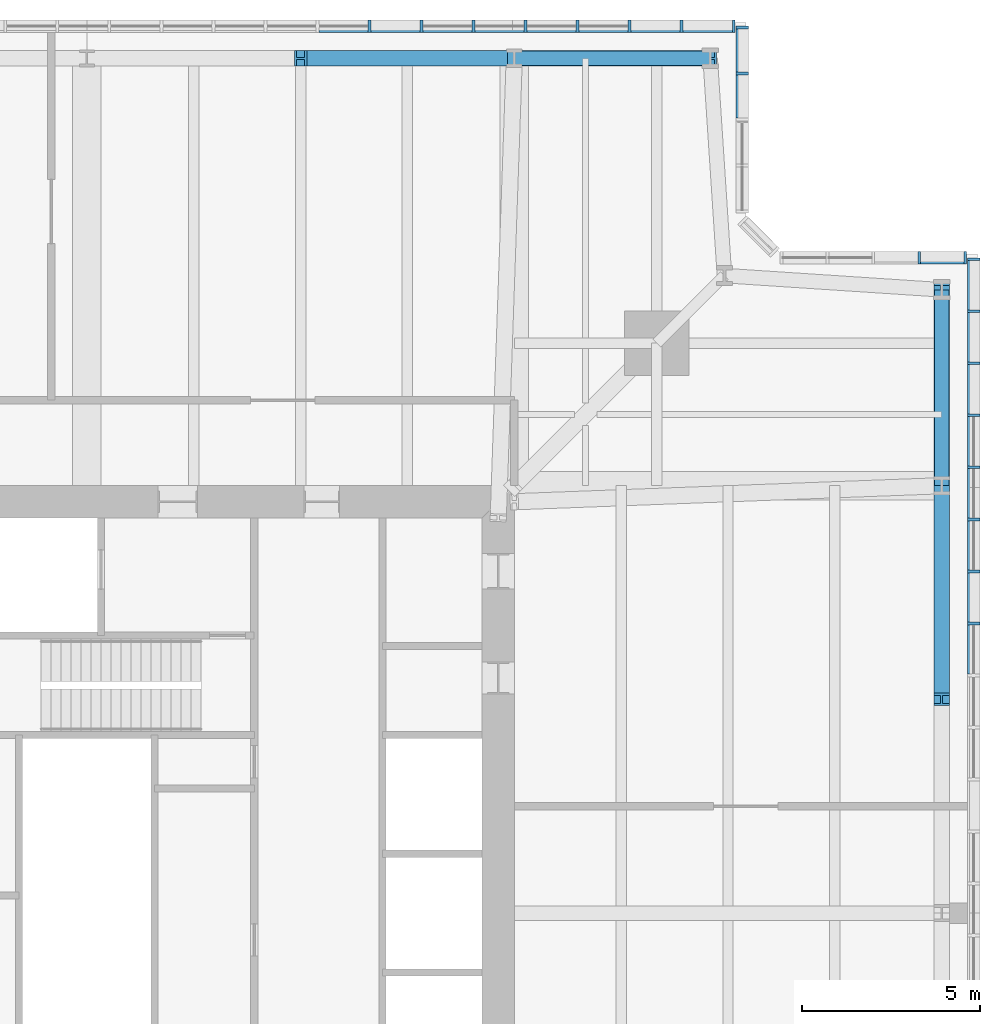
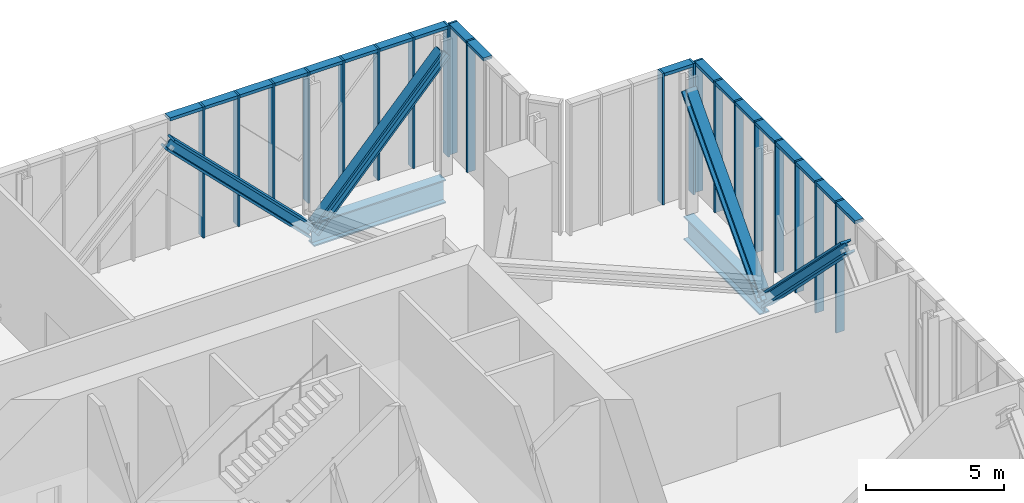
# One storey, part 8 of 18: 43 members, 2 beams, 4 elements without a shape of their own.
"""IFC4 building model written with IfcOpenShell, lengths in metres."""

from ifc_helpers import new_model, si_unit, direction, frame, origin, origin_2d, place, context, subcontext, project, spatial, rectangle, i_section, extrude, material, material_profile, profile_set, type_object, element, aggregate, save


model = new_model("IFC4")

# Units and contexts
model_context = context("Model", 3, precision=1e-05, world=origin(), true_north=direction((0.0, 1.0)))
body_context = subcontext(model_context, "Body", "Model", "MODEL_VIEW")
ifc_project = project(units=[si_unit("LENGTHUNIT", "METRE"), si_unit("AREAUNIT", "SQUARE_METRE"), si_unit("VOLUMEUNIT", "CUBIC_METRE"), si_unit("PLANEANGLEUNIT", "RADIAN"), si_unit("MASSUNIT", "GRAM", prefix="KILO")], contexts=[model_context])

# Site, building, storey
site_placement = place(None, origin())
site = spatial("IfcSite", under=ifc_project, at=site_placement, CompositionType="ELEMENT")
building_placement = place(site_placement, origin())
building = spatial("IfcBuilding", under=site, at=building_placement, Name="Fenwick Lantern Interchange", CompositionType="ELEMENT")
storey_placement = place(building_placement, frame((0.0, 0.0, 301.800048828125)))
storey = spatial("IfcBuildingStorey", under=building, at=storey_placement, Name="L73", CompositionType="ELEMENT", Elevation=301.800048828125)

# Members
ifc_material_1 = material(Name="Steel ASTM A992 Grade 50", Category="steel")
ifc_material_profile_1 = material_profile(ifc_material_1, i_section(OverallWidth=0.431884765625, OverallDepth=0.497802734375, WebThickness=0.0556640625, FlangeThickness=0.0888671875, at=origin_2d()), Name="W14X500")
ifc_profile_set_1 = profile_set([ifc_material_profile_1], Name="Steel ASTM A992 Grade 50")
member_type_1 = type_object("IfcMemberType", Name="BELT TRUSS DIAGONAL W14X500", PredefinedType="BRACE", material=ifc_profile_set_1)
member_1_placement = place(storey_placement, frame((49.0, 37.0, -0.650146484375), z_axis=(0.0, -0.707106781187, 0.707106781187), x_axis=(1.0, 0.0, 0.0)))
element("IfcMember", 1, at=member_1_placement, inside=storey, type_object=member_type_1, Name="L73/BT/E/D5", PredefinedType="BRACE", context=body_context, shape_type="SweptSolid", body=[
    extrude(i_section(OverallWidth=0.431884765625, OverallDepth=0.497802734375, WebThickness=0.0556640625, FlangeThickness=0.0888671875, at=origin_2d()), origin(), (0.0, 0.0, 1.0), 8.4853515625),
])
for number, where, z_axis, x_axis, name in (
    (2, (49.0, 37.0, -0.650146484375), (0.0, 0.675724628517, 0.737154140201), (-1.0, 0.0, 0.0), "L73/BT/E/D6"),
    (3, (37.0, 49.0, -0.650146484375), (0.675724628517, 0.0, 0.737154140201), (0.0, 1.0, 0.0), "L73/BT/N/D1"),
):
    element("IfcMember", number, at=place(storey_placement, frame(where, z_axis=z_axis, x_axis=x_axis)), inside=storey, type_object=member_type_1, Name=name, PredefinedType="BRACE", context=body_context, shape_type="SweptSolid", body=[
        extrude(i_section(OverallWidth=0.431884765625, OverallDepth=0.497802734375, WebThickness=0.0556640625, FlangeThickness=0.0888671875, at=origin_2d()), origin(), (0.0, 0.0, 1.0), 8.139404296875),
    ])
member_2_placement = place(storey_placement, frame((37.0, 49.0, -0.650146484375), z_axis=(-0.707106781187, 0.0, 0.707106781187), x_axis=(0.0, -1.0, 0.0)))
element("IfcMember", 4, at=member_2_placement, inside=storey, type_object=member_type_1, Name="L73/BT/N/D2", PredefinedType="BRACE", context=body_context, shape_type="SweptSolid", body=[
    extrude(i_section(OverallWidth=0.431884765625, OverallDepth=0.497802734375, WebThickness=0.0556640625, FlangeThickness=0.0888671875, at=origin_2d()), origin(), (0.0, 0.0, 1.0), 8.4853515625),
])

# Beams
ifc_material_profile_2 = material_profile(ifc_material_1, i_section(OverallWidth=0.408935546875, OverallDepth=1.04150390625, WebThickness=0.031005859375, FlangeThickness=0.055908203125, at=origin_2d()), Name="W40X397")
ifc_profile_set_2 = profile_set([ifc_material_profile_2], Name="Steel ASTM A992 Grade 50")
beam_type = type_object("IfcBeamType", Name="EDGE BEAM W40X397", PredefinedType="SPANDREL", material=ifc_profile_set_2)
for number, where, z_axis, x_axis, name in (
    (5, (49.0, 37.0, -0.720703125), (0.0, 1.0, 0.0), (-1.0, 0.0, 0.0), "L73/FR/E/EB4"),
    (6, (42.5, 49.0, -0.720703125), (-1.0, 0.0, 0.0), (0.0, -1.0, 0.0), "L73/FR/N/EB1"),
):
    element("IfcBeam", number, at=place(storey_placement, frame(where, z_axis=z_axis, x_axis=x_axis)), inside=storey, type_object=beam_type, Name=name, PredefinedType="SPANDREL", context=body_context, shape_type="SweptSolid", body=[
        extrude(i_section(OverallWidth=0.408935546875, OverallDepth=1.04150390625, WebThickness=0.031005859375, FlangeThickness=0.055908203125, at=origin_2d()), origin(), (0.0, 0.0, 1.0), 5.5),
    ])

# Curtain wall, members
ifc_material_2 = material(Name="Aluminium curtain wall frame", Category="aluminium")
curtain_wall_type = type_object("IfcCurtainWallType", Name="LANTERN GLAZING", PredefinedType="USERDEFINED", material=ifc_material_2)
curtain_wall_1_placement = place(storey_placement, origin())
curtain_wall_1 = element("IfcCurtainWall", 7, at=curtain_wall_1_placement, inside=storey, type_object=curtain_wall_type, Name="Lantern glazing 05", ObjectType="LANTERN GLAZING", PredefinedType="USERDEFINED")
ifc_material_3 = material(Name="Aluminium extrusion", Category="aluminium")
ifc_material_profile_3 = material_profile(ifc_material_3, rectangle(XDim=0.35009765625, YDim=0.080078125, at=origin_2d()), Name="LANTERN GLAZING MULLION 80 X 350")
ifc_profile_set_3 = profile_set([ifc_material_profile_3], Name="Aluminium extrusion")
member_type_2 = type_object("IfcMemberType", Name="LANTERN GLAZING MULLION 80 X 350", PredefinedType="MULLION", material=ifc_profile_set_3)
member_3_placement = place(storey_placement, frame((49.89990234375, 33.134521484375, 0.0), z_axis=(0.0, 0.0, 1.0), x_axis=(-1.0, 0.0, 0.0)))
member_3 = element("IfcMember", 8, at=member_3_placement, type_object=member_type_2, Name="L73/CW/05/M18", PredefinedType="MULLION", context=body_context, shape_type="SweptSolid", body=[
    extrude(rectangle(XDim=0.35009765625, YDim=0.080078125, at=origin_2d()), origin(), (0.0, 0.0, 1.0), 5.800048828125),
])
member_4_placement = place(storey_placement, frame((49.89990234375, 34.59521484375, 0.0), z_axis=(0.0, 0.0, 1.0), x_axis=(-1.0, 0.0, 0.0)))
member_4 = element("IfcMember", 9, at=member_4_placement, type_object=member_type_2, Name="L73/CW/05/M19", PredefinedType="MULLION", context=body_context, shape_type="SweptSolid", body=[
    extrude(rectangle(XDim=0.35009765625, YDim=0.080078125, at=origin_2d()), origin(), (0.0, 0.0, 1.0), 5.800048828125),
])
member_5_placement = place(storey_placement, frame((49.89990234375, 36.055908203125, 0.0), z_axis=(0.0, 0.0, 1.0), x_axis=(-1.0, 0.0, 0.0)))
member_5 = element("IfcMember", 10, at=member_5_placement, type_object=member_type_2, Name="L73/CW/05/M20", PredefinedType="MULLION", context=body_context, shape_type="SweptSolid", body=[
    extrude(rectangle(XDim=0.35009765625, YDim=0.080078125, at=origin_2d()), origin(), (0.0, 0.0, 1.0), 5.800048828125),
])
member_6_placement = place(storey_placement, frame((49.89990234375, 37.516845703125, 0.0), z_axis=(0.0, 0.0, 1.0), x_axis=(-1.0, 0.0, 0.0)))
member_6 = element("IfcMember", 11, at=member_6_placement, type_object=member_type_2, Name="L73/CW/05/M21", PredefinedType="MULLION", context=body_context, shape_type="SweptSolid", body=[
    extrude(rectangle(XDim=0.35009765625, YDim=0.080078125, at=origin_2d()), origin(), (0.0, 0.0, 1.0), 5.800048828125),
])
member_7_placement = place(storey_placement, frame((49.89990234375, 38.9775390625, 0.0), z_axis=(0.0, 0.0, 1.0), x_axis=(-1.0, 0.0, 0.0)))
member_7 = element("IfcMember", 12, at=member_7_placement, type_object=member_type_2, Name="L73/CW/05/M22", PredefinedType="MULLION", context=body_context, shape_type="SweptSolid", body=[
    extrude(rectangle(XDim=0.35009765625, YDim=0.080078125, at=origin_2d()), origin(), (0.0, 0.0, 1.0), 5.800048828125),
])
member_8_placement = place(storey_placement, frame((49.89990234375, 40.4384765625, 0.0), z_axis=(0.0, 0.0, 1.0), x_axis=(-1.0, 0.0, 0.0)))
member_8 = element("IfcMember", 13, at=member_8_placement, type_object=member_type_2, Name="L73/CW/05/M23", PredefinedType="MULLION", context=body_context, shape_type="SweptSolid", body=[
    extrude(rectangle(XDim=0.35009765625, YDim=0.080078125, at=origin_2d()), origin(), (0.0, 0.0, 1.0), 5.800048828125),
])
member_9_placement = place(storey_placement, frame((49.89990234375, 41.899169921875, 0.0), z_axis=(0.0, 0.0, 1.0), x_axis=(-1.0, 0.0, 0.0)))
member_9 = element("IfcMember", 14, at=member_9_placement, type_object=member_type_2, Name="L73/CW/05/M24", PredefinedType="MULLION", context=body_context, shape_type="SweptSolid", body=[
    extrude(rectangle(XDim=0.35009765625, YDim=0.080078125, at=origin_2d()), origin(), (0.0, 0.0, 1.0), 5.800048828125),
])
member_10_placement = place(storey_placement, frame((49.89990234375, 43.360107421875, 0.0), z_axis=(0.0, 0.0, 1.0), x_axis=(-1.0, 0.0, 0.0)))
member_10 = element("IfcMember", 15, at=member_10_placement, type_object=member_type_2, Name="L73/CW/05/M25", PredefinedType="MULLION", context=body_context, shape_type="SweptSolid", body=[
    extrude(rectangle(XDim=0.35009765625, YDim=0.080078125, at=origin_2d()), origin(), (0.0, 0.0, 1.0), 5.800048828125),
])

curtain_wall_2_placement = place(storey_placement, origin())
curtain_wall_2 = element("IfcCurtainWall", 16, at=curtain_wall_2_placement, inside=storey, type_object=curtain_wall_type, Name="Lantern glazing 06", ObjectType="LANTERN GLAZING", PredefinedType="USERDEFINED")
member_11_placement = place(storey_placement, frame((49.659912109375, 43.39990234375, 0.0), z_axis=(0.0, 0.0, 1.0), x_axis=(0.0, -1.0, 0.0)))
member_11 = element("IfcMember", 17, at=member_11_placement, type_object=member_type_2, Name="L73/CW/06/M00", PredefinedType="MULLION", context=body_context, shape_type="SweptSolid", body=[
    extrude(rectangle(XDim=0.35009765625, YDim=0.080078125, at=origin_2d()), origin(), (0.0, 0.0, 1.0), 5.800048828125),
])
member_12_placement = place(storey_placement, frame((48.36962890625, 43.39990234375, 0.0), z_axis=(0.0, 0.0, 1.0), x_axis=(0.0, -1.0, 0.0)))
member_12 = element("IfcMember", 18, at=member_12_placement, type_object=member_type_2, Name="L73/CW/06/M01", PredefinedType="MULLION", context=body_context, shape_type="SweptSolid", body=[
    extrude(rectangle(XDim=0.35009765625, YDim=0.080078125, at=origin_2d()), origin(), (0.0, 0.0, 1.0), 5.800048828125),
])

curtain_wall_3_placement = place(storey_placement, origin())
curtain_wall_3 = element("IfcCurtainWall", 19, at=curtain_wall_3_placement, inside=storey, type_object=curtain_wall_type, Name="Lantern glazing 08", ObjectType="LANTERN GLAZING", PredefinedType="USERDEFINED")
member_13_placement = place(storey_placement, frame((43.39990234375, 48.569580078125, 0.0), z_axis=(0.0, 0.0, 1.0), x_axis=(-1.0, 0.0, 0.0)))
member_13 = element("IfcMember", 20, at=member_13_placement, type_object=member_type_2, Name="L73/CW/08/M03", PredefinedType="MULLION", context=body_context, shape_type="SweptSolid", body=[
    extrude(rectangle(XDim=0.35009765625, YDim=0.080078125, at=origin_2d()), origin(), (0.0, 0.0, 1.0), 5.800048828125),
])
member_14_placement = place(storey_placement, frame((43.39990234375, 49.860107421875, 0.0), z_axis=(0.0, 0.0, 1.0), x_axis=(-1.0, 0.0, 0.0)))
member_14 = element("IfcMember", 21, at=member_14_placement, type_object=member_type_2, Name="L73/CW/08/M04", PredefinedType="MULLION", context=body_context, shape_type="SweptSolid", body=[
    extrude(rectangle(XDim=0.35009765625, YDim=0.080078125, at=origin_2d()), origin(), (0.0, 0.0, 1.0), 5.800048828125),
])

curtain_wall_4_placement = place(storey_placement, origin())
curtain_wall_4 = element("IfcCurtainWall", 22, at=curtain_wall_4_placement, inside=storey, type_object=curtain_wall_type, Name="Lantern glazing 09", ObjectType="LANTERN GLAZING", PredefinedType="USERDEFINED")
member_15_placement = place(storey_placement, frame((43.159912109375, 49.89990234375, 0.0), z_axis=(0.0, 0.0, 1.0), x_axis=(0.0, -1.0, 0.0)))
member_15 = element("IfcMember", 23, at=member_15_placement, type_object=member_type_2, Name="L73/CW/09/M00", PredefinedType="MULLION", context=body_context, shape_type="SweptSolid", body=[
    extrude(rectangle(XDim=0.35009765625, YDim=0.080078125, at=origin_2d()), origin(), (0.0, 0.0, 1.0), 5.800048828125),
])
member_16_placement = place(storey_placement, frame((41.69921875, 49.89990234375, 0.0), z_axis=(0.0, 0.0, 1.0), x_axis=(0.0, -1.0, 0.0)))
member_16 = element("IfcMember", 24, at=member_16_placement, type_object=member_type_2, Name="L73/CW/09/M01", PredefinedType="MULLION", context=body_context, shape_type="SweptSolid", body=[
    extrude(rectangle(XDim=0.35009765625, YDim=0.080078125, at=origin_2d()), origin(), (0.0, 0.0, 1.0), 5.800048828125),
])
member_17_placement = place(storey_placement, frame((40.23828125, 49.89990234375, 0.0), z_axis=(0.0, 0.0, 1.0), x_axis=(0.0, -1.0, 0.0)))
member_17 = element("IfcMember", 25, at=member_17_placement, type_object=member_type_2, Name="L73/CW/09/M02", PredefinedType="MULLION", context=body_context, shape_type="SweptSolid", body=[
    extrude(rectangle(XDim=0.35009765625, YDim=0.080078125, at=origin_2d()), origin(), (0.0, 0.0, 1.0), 5.800048828125),
])
member_18_placement = place(storey_placement, frame((38.777587890625, 49.89990234375, 0.0), z_axis=(0.0, 0.0, 1.0), x_axis=(0.0, -1.0, 0.0)))
member_18 = element("IfcMember", 26, at=member_18_placement, type_object=member_type_2, Name="L73/CW/09/M03", PredefinedType="MULLION", context=body_context, shape_type="SweptSolid", body=[
    extrude(rectangle(XDim=0.35009765625, YDim=0.080078125, at=origin_2d()), origin(), (0.0, 0.0, 1.0), 5.800048828125),
])
member_19_placement = place(storey_placement, frame((37.31689453125, 49.89990234375, 0.0), z_axis=(0.0, 0.0, 1.0), x_axis=(0.0, -1.0, 0.0)))
member_19 = element("IfcMember", 27, at=member_19_placement, type_object=member_type_2, Name="L73/CW/09/M04", PredefinedType="MULLION", context=body_context, shape_type="SweptSolid", body=[
    extrude(rectangle(XDim=0.35009765625, YDim=0.080078125, at=origin_2d()), origin(), (0.0, 0.0, 1.0), 5.800048828125),
])
member_20_placement = place(storey_placement, frame((35.85595703125, 49.89990234375, 0.0), z_axis=(0.0, 0.0, 1.0), x_axis=(0.0, -1.0, 0.0)))
member_20 = element("IfcMember", 28, at=member_20_placement, type_object=member_type_2, Name="L73/CW/09/M05", PredefinedType="MULLION", context=body_context, shape_type="SweptSolid", body=[
    extrude(rectangle(XDim=0.35009765625, YDim=0.080078125, at=origin_2d()), origin(), (0.0, 0.0, 1.0), 5.800048828125),
])
member_21_placement = place(storey_placement, frame((34.395263671875, 49.89990234375, 0.0), z_axis=(0.0, 0.0, 1.0), x_axis=(0.0, -1.0, 0.0)))
member_21 = element("IfcMember", 29, at=member_21_placement, type_object=member_type_2, Name="L73/CW/09/M06", PredefinedType="MULLION", context=body_context, shape_type="SweptSolid", body=[
    extrude(rectangle(XDim=0.35009765625, YDim=0.080078125, at=origin_2d()), origin(), (0.0, 0.0, 1.0), 5.800048828125),
])
member_22_placement = place(storey_placement, frame((32.934326171875, 49.89990234375, 0.0), z_axis=(0.0, 0.0, 1.0), x_axis=(0.0, -1.0, 0.0)))
member_22 = element("IfcMember", 30, at=member_22_placement, type_object=member_type_2, Name="L73/CW/09/M07", PredefinedType="MULLION", context=body_context, shape_type="SweptSolid", body=[
    extrude(rectangle(XDim=0.35009765625, YDim=0.080078125, at=origin_2d()), origin(), (0.0, 0.0, 1.0), 5.800048828125),
])

# Member
ifc_material_profile_4 = material_profile(ifc_material_3, rectangle(XDim=0.35009765625, YDim=0.139892578125, at=origin_2d()), Name="LANTERN GLAZING TRANSOM 140 X 350")
ifc_profile_set_4 = profile_set([ifc_material_profile_4], Name="Aluminium extrusion")
member_type_3 = type_object("IfcMemberType", Name="LANTERN GLAZING TRANSOM 140 X 350", PredefinedType="MULLION", material=ifc_profile_set_4)
member_23_placement = place(storey_placement, frame((49.89990234375, 31.713623046875, 5.72998046875), z_axis=(0.0, 1.0, 0.0), x_axis=(-1.0, 0.0, 0.0)))
member_23 = element("IfcMember", 31, at=member_23_placement, type_object=member_type_3, Name="L73/CW/05/T17", PredefinedType="MULLION", context=body_context, shape_type="SweptSolid", body=[
    extrude(rectangle(XDim=0.35009765625, YDim=0.139892578125, at=origin_2d()), origin(), (0.0, 0.0, 1.0), 1.380859375),
])

member_24_placement = place(storey_placement, frame((49.89990234375, 33.17431640625, 5.72998046875), z_axis=(0.0, 1.0, 0.0), x_axis=(-1.0, 0.0, 0.0)))
member_24 = element("IfcMember", 32, at=member_24_placement, type_object=member_type_3, Name="L73/CW/05/T18", PredefinedType="MULLION", context=body_context, shape_type="SweptSolid", body=[
    extrude(rectangle(XDim=0.35009765625, YDim=0.139892578125, at=origin_2d()), origin(), (0.0, 0.0, 1.0), 1.380859375),
])

member_25_placement = place(storey_placement, frame((49.89990234375, 34.63525390625, 5.72998046875), z_axis=(0.0, 1.0, 0.0), x_axis=(-1.0, 0.0, 0.0)))
member_25 = element("IfcMember", 33, at=member_25_placement, type_object=member_type_3, Name="L73/CW/05/T19", PredefinedType="MULLION", context=body_context, shape_type="SweptSolid", body=[
    extrude(rectangle(XDim=0.35009765625, YDim=0.139892578125, at=origin_2d()), origin(), (0.0, 0.0, 1.0), 1.380859375),
])

member_26_placement = place(storey_placement, frame((49.89990234375, 36.095947265625, 5.72998046875), z_axis=(0.0, 1.0, 0.0), x_axis=(-1.0, 0.0, 0.0)))
member_26 = element("IfcMember", 34, at=member_26_placement, type_object=member_type_3, Name="L73/CW/05/T20", PredefinedType="MULLION", context=body_context, shape_type="SweptSolid", body=[
    extrude(rectangle(XDim=0.35009765625, YDim=0.139892578125, at=origin_2d()), origin(), (0.0, 0.0, 1.0), 1.380859375),
])

member_27_placement = place(storey_placement, frame((49.89990234375, 37.556884765625, 5.72998046875), z_axis=(0.0, 1.0, 0.0), x_axis=(-1.0, 0.0, 0.0)))
member_27 = element("IfcMember", 35, at=member_27_placement, type_object=member_type_3, Name="L73/CW/05/T21", PredefinedType="MULLION", context=body_context, shape_type="SweptSolid", body=[
    extrude(rectangle(XDim=0.35009765625, YDim=0.139892578125, at=origin_2d()), origin(), (0.0, 0.0, 1.0), 1.380615234375),
])

member_28_placement = place(storey_placement, frame((49.89990234375, 39.017578125, 5.72998046875), z_axis=(0.0, 1.0, 0.0), x_axis=(-1.0, 0.0, 0.0)))
member_28 = element("IfcMember", 36, at=member_28_placement, type_object=member_type_3, Name="L73/CW/05/T22", PredefinedType="MULLION", context=body_context, shape_type="SweptSolid", body=[
    extrude(rectangle(XDim=0.35009765625, YDim=0.139892578125, at=origin_2d()), origin(), (0.0, 0.0, 1.0), 1.380859375),
])

member_29_placement = place(storey_placement, frame((49.89990234375, 40.478515625, 5.72998046875), z_axis=(0.0, 1.0, 0.0), x_axis=(-1.0, 0.0, 0.0)))
member_29 = element("IfcMember", 37, at=member_29_placement, type_object=member_type_3, Name="L73/CW/05/T23", PredefinedType="MULLION", context=body_context, shape_type="SweptSolid", body=[
    extrude(rectangle(XDim=0.35009765625, YDim=0.139892578125, at=origin_2d()), origin(), (0.0, 0.0, 1.0), 1.380615234375),
])

member_30_placement = place(storey_placement, frame((49.89990234375, 41.939208984375, 5.72998046875), z_axis=(0.0, 1.0, 0.0), x_axis=(-1.0, 0.0, 0.0)))
member_30 = element("IfcMember", 38, at=member_30_placement, type_object=member_type_3, Name="L73/CW/05/T24", PredefinedType="MULLION", context=body_context, shape_type="SweptSolid", body=[
    extrude(rectangle(XDim=0.35009765625, YDim=0.139892578125, at=origin_2d()), origin(), (0.0, 0.0, 1.0), 1.380859375),
])

aggregate(curtain_wall_1, [member_3, member_4, member_5, member_6, member_7, member_8, member_9, member_10, member_23, member_24, member_25, member_26, member_27, member_28, member_29, member_30])

member_31_placement = place(storey_placement, frame((49.6201171875, 43.39990234375, 5.72998046875), z_axis=(-1.0, 0.0, 0.0), x_axis=(0.0, -1.0, 0.0)))
member_31 = element("IfcMember", 39, at=member_31_placement, type_object=member_type_3, Name="L73/CW/06/T00", PredefinedType="MULLION", context=body_context, shape_type="SweptSolid", body=[
    extrude(rectangle(XDim=0.35009765625, YDim=0.139892578125, at=origin_2d()), origin(), (0.0, 0.0, 1.0), 1.21044921875),
])

aggregate(curtain_wall_2, [member_11, member_12, member_31])

member_32_placement = place(storey_placement, frame((43.39990234375, 47.3193359375, 5.72998046875), z_axis=(0.0, 1.0, 0.0), x_axis=(-1.0, 0.0, 0.0)))
member_32 = element("IfcMember", 40, at=member_32_placement, type_object=member_type_3, Name="L73/CW/08/T02", PredefinedType="MULLION", context=body_context, shape_type="SweptSolid", body=[
    extrude(rectangle(XDim=0.35009765625, YDim=0.139892578125, at=origin_2d()), origin(), (0.0, 0.0, 1.0), 1.210205078125),
])

member_33_placement = place(storey_placement, frame((43.39990234375, 48.609619140625, 5.72998046875), z_axis=(0.0, 1.0, 0.0), x_axis=(-1.0, 0.0, 0.0)))
member_33 = element("IfcMember", 41, at=member_33_placement, type_object=member_type_3, Name="L73/CW/08/T03", PredefinedType="MULLION", context=body_context, shape_type="SweptSolid", body=[
    extrude(rectangle(XDim=0.35009765625, YDim=0.139892578125, at=origin_2d()), origin(), (0.0, 0.0, 1.0), 1.21044921875),
])

aggregate(curtain_wall_3, [member_13, member_14, member_32, member_33])

member_34_placement = place(storey_placement, frame((43.1201171875, 49.89990234375, 5.72998046875), z_axis=(-1.0, 0.0, 0.0), x_axis=(0.0, -1.0, 0.0)))
member_34 = element("IfcMember", 42, at=member_34_placement, type_object=member_type_3, Name="L73/CW/09/T00", PredefinedType="MULLION", context=body_context, shape_type="SweptSolid", body=[
    extrude(rectangle(XDim=0.35009765625, YDim=0.139892578125, at=origin_2d()), origin(), (0.0, 0.0, 1.0), 1.380859375),
])

member_35_placement = place(storey_placement, frame((41.6591796875, 49.89990234375, 5.72998046875), z_axis=(-1.0, 0.0, 0.0), x_axis=(0.0, -1.0, 0.0)))
member_35 = element("IfcMember", 43, at=member_35_placement, type_object=member_type_3, Name="L73/CW/09/T01", PredefinedType="MULLION", context=body_context, shape_type="SweptSolid", body=[
    extrude(rectangle(XDim=0.35009765625, YDim=0.139892578125, at=origin_2d()), origin(), (0.0, 0.0, 1.0), 1.380859375),
])

member_36_placement = place(storey_placement, frame((40.198486328125, 49.89990234375, 5.72998046875), z_axis=(-1.0, 0.0, 0.0), x_axis=(0.0, -1.0, 0.0)))
member_36 = element("IfcMember", 44, at=member_36_placement, type_object=member_type_3, Name="L73/CW/09/T02", PredefinedType="MULLION", context=body_context, shape_type="SweptSolid", body=[
    extrude(rectangle(XDim=0.35009765625, YDim=0.139892578125, at=origin_2d()), origin(), (0.0, 0.0, 1.0), 1.380859375),
])

member_37_placement = place(storey_placement, frame((38.737548828125, 49.89990234375, 5.72998046875), z_axis=(-1.0, 0.0, 0.0), x_axis=(0.0, -1.0, 0.0)))
member_37 = element("IfcMember", 45, at=member_37_placement, type_object=member_type_3, Name="L73/CW/09/T03", PredefinedType="MULLION", context=body_context, shape_type="SweptSolid", body=[
    extrude(rectangle(XDim=0.35009765625, YDim=0.139892578125, at=origin_2d()), origin(), (0.0, 0.0, 1.0), 1.380859375),
])

member_38_placement = place(storey_placement, frame((37.27685546875, 49.89990234375, 5.72998046875), z_axis=(-1.0, 0.0, 0.0), x_axis=(0.0, -1.0, 0.0)))
member_38 = element("IfcMember", 46, at=member_38_placement, type_object=member_type_3, Name="L73/CW/09/T04", PredefinedType="MULLION", context=body_context, shape_type="SweptSolid", body=[
    extrude(rectangle(XDim=0.35009765625, YDim=0.139892578125, at=origin_2d()), origin(), (0.0, 0.0, 1.0), 1.380859375),
])

member_39_placement = place(storey_placement, frame((35.81591796875, 49.89990234375, 5.72998046875), z_axis=(-1.0, 0.0, 0.0), x_axis=(0.0, -1.0, 0.0)))
member_39 = element("IfcMember", 47, at=member_39_placement, type_object=member_type_3, Name="L73/CW/09/T05", PredefinedType="MULLION", context=body_context, shape_type="SweptSolid", body=[
    extrude(rectangle(XDim=0.35009765625, YDim=0.139892578125, at=origin_2d()), origin(), (0.0, 0.0, 1.0), 1.380615234375),
])

member_40_placement = place(storey_placement, frame((34.355224609375, 49.89990234375, 5.72998046875), z_axis=(-1.0, 0.0, 0.0), x_axis=(0.0, -1.0, 0.0)))
member_40 = element("IfcMember", 48, at=member_40_placement, type_object=member_type_3, Name="L73/CW/09/T06", PredefinedType="MULLION", context=body_context, shape_type="SweptSolid", body=[
    extrude(rectangle(XDim=0.35009765625, YDim=0.139892578125, at=origin_2d()), origin(), (0.0, 0.0, 1.0), 1.380859375),
])

member_41_placement = place(storey_placement, frame((32.894287109375, 49.89990234375, 5.72998046875), z_axis=(-1.0, 0.0, 0.0), x_axis=(0.0, -1.0, 0.0)))
member_41 = element("IfcMember", 49, at=member_41_placement, type_object=member_type_3, Name="L73/CW/09/T07", PredefinedType="MULLION", context=body_context, shape_type="SweptSolid", body=[
    extrude(rectangle(XDim=0.35009765625, YDim=0.139892578125, at=origin_2d()), origin(), (0.0, 0.0, 1.0), 1.380615234375),
])

aggregate(curtain_wall_4, [member_15, member_16, member_17, member_18, member_19, member_20, member_21, member_22, member_34, member_35, member_36, member_37, member_38, member_39, member_40, member_41])

save(model, "model.ifc")
